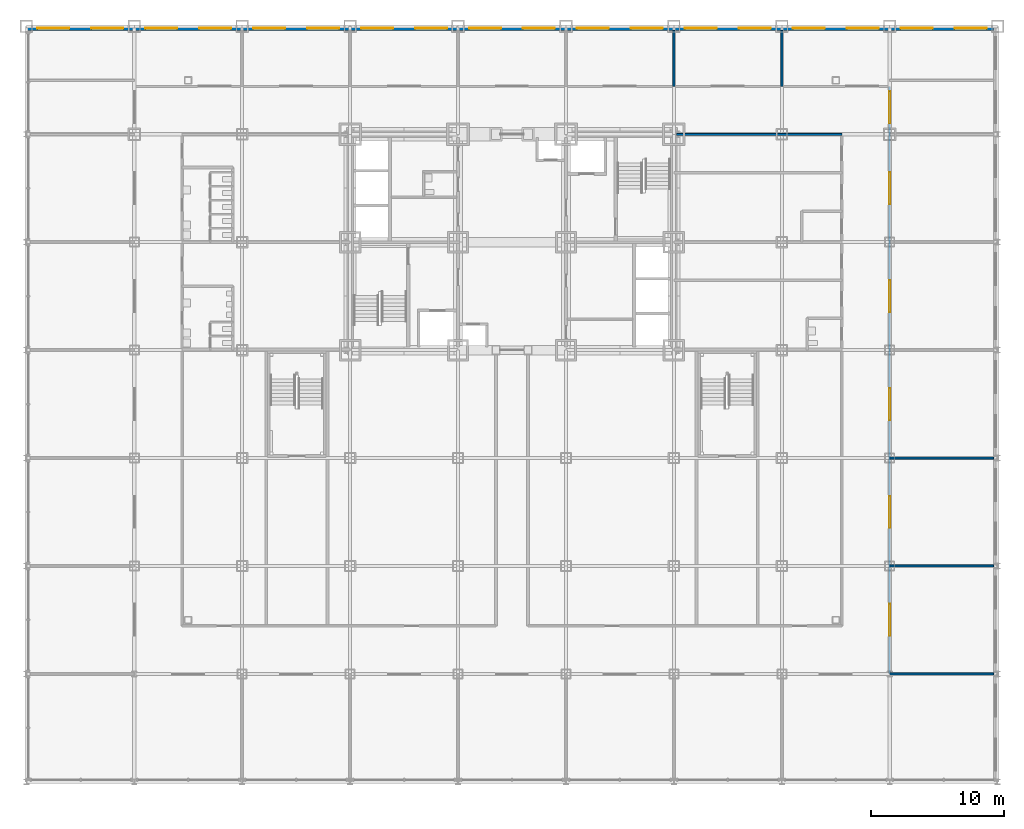
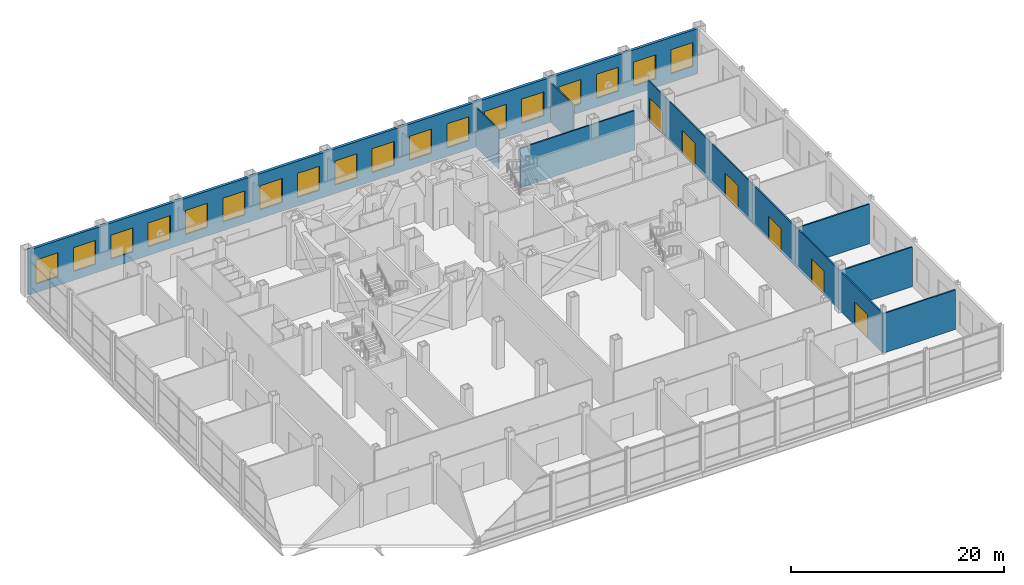
# One storey, part 25 of 30: 18 windows, 8 walls, 6 doors, 24 openings.
"""IFC4 building model written with IfcOpenShell, lengths in metres."""

from ifc_helpers import new_model, si_unit, direction, frame, frame_2d, origin, place, context, subcontext, project, spatial, rectangle, extrude, material, layer, layer_set, type_object, element, fill, save


model = new_model("IFC4")

# Units and contexts
model_context = context("Model", 3, precision=1e-05, world=origin(), true_north=direction((0.0, 1.0)))
body_context = subcontext(model_context, "Body", "Model", "MODEL_VIEW")
ifc_project = project(units=[si_unit("LENGTHUNIT", "METRE"), si_unit("AREAUNIT", "SQUARE_METRE"), si_unit("VOLUMEUNIT", "CUBIC_METRE"), si_unit("PLANEANGLEUNIT", "RADIAN"), si_unit("MASSUNIT", "GRAM", prefix="KILO")], contexts=[model_context])

# Site, building, storey
site_placement = place(None, origin())
site = spatial("IfcSite", under=ifc_project, at=site_placement, CompositionType="ELEMENT")
building_placement = place(site_placement, origin())
building = spatial("IfcBuilding", under=site, at=building_placement, Name="Kopane Lantern Tower", CompositionType="ELEMENT")
storey_placement = place(building_placement, frame((0.0, 0.0, 6.0)))
storey = spatial("IfcBuildingStorey", under=building, at=storey_placement, Name="L01", CompositionType="ELEMENT", Elevation=6.0)

# Wall, openings, doors
ifc_material_1 = material(Name="Gypsum board on steel studs", Category="steel")
ifc_layer_1 = layer(ifc_material_1, 0.14990234375)
ifc_layer_set_1 = layer_set([ifc_layer_1], Name="CORRIDOR WALL 150 EI 60")
wall_type_1 = type_object("IfcWallType", Name="CORRIDOR WALL 150 EI 60", PredefinedType="PARTITIONING", material=ifc_layer_set_1)
wall_1_placement = place(storey_placement, frame((56.699951171875, 0.0, 0.0), z_axis=(0.0, 0.0, 1.0), x_axis=(0.0, 1.0, 0.0)))
wall_1 = element("IfcWall", 1, at=wall_1_placement, inside=storey, type_object=wall_type_1, Name="Corridor Wall 150 Ei 60 L01", PredefinedType="PARTITIONING", context=body_context, shape_type="SweptSolid", body=[
    extrude(rectangle(XDim=44.10009765625, YDim=0.14990234375, at=frame_2d((22.050048828125, 0.0))), origin(), (0.0, 0.0, 1.0), 4.537841796875),
])
opening_1_placement = place(wall_1_placement, frame((2.85009765625, 0.0, 0.0)))
opening_1 = element("IfcOpeningElement", 2, at=opening_1_placement, cuts=wall_1, Name="Opening L01-031", PredefinedType="OPENING", context=body_context, shape_type="SweptSolid", body=[
    extrude(rectangle(XDim=2.39990234375, YDim=2.699951171875, at=frame_2d((1.199951171875, 1.35009765625))), frame((0.0, 0.0849609375, 0.0), z_axis=(0.0, -1.0, 0.0), x_axis=(1.0, 0.0, 0.0)), (0.0, 0.0, 1.0), 0.169921875),
])
opening_2_placement = place(wall_1_placement, frame((10.949951171875, 0.0, 0.0)))
opening_2 = element("IfcOpeningElement", 3, at=opening_2_placement, cuts=wall_1, Name="Opening L01-032", PredefinedType="OPENING", context=body_context, shape_type="SweptSolid", body=[
    extrude(rectangle(XDim=2.39990234375, YDim=2.699951171875, at=frame_2d((1.199951171875, 1.35009765625))), frame((0.0, 0.0849609375, 0.0), z_axis=(0.0, -1.0, 0.0), x_axis=(1.0, 0.0, 0.0)), (0.0, 0.0, 1.0), 0.169921875),
])
opening_3_placement = place(wall_1_placement, frame((19.050048828125, 0.0, 0.0)))
opening_3 = element("IfcOpeningElement", 4, at=opening_3_placement, cuts=wall_1, Name="Opening L01-033", PredefinedType="OPENING", context=body_context, shape_type="SweptSolid", body=[
    extrude(rectangle(XDim=2.39990234375, YDim=2.699951171875, at=frame_2d((1.199951171875, 1.35009765625))), frame((0.0, 0.0849609375, 0.0), z_axis=(0.0, -1.0, 0.0), x_axis=(1.0, 0.0, 0.0)), (0.0, 0.0, 1.0), 0.169921875),
])
opening_4_placement = place(wall_1_placement, frame((27.14990234375, 0.0, 0.0)))
opening_4 = element("IfcOpeningElement", 5, at=opening_4_placement, cuts=wall_1, Name="Opening L01-034", PredefinedType="OPENING", context=body_context, shape_type="SweptSolid", body=[
    extrude(rectangle(XDim=2.39990234375, YDim=2.699951171875, at=frame_2d((1.199951171875, 1.35009765625))), frame((0.0, 0.0849609375, 0.0), z_axis=(0.0, -1.0, 0.0), x_axis=(1.0, 0.0, 0.0)), (0.0, 0.0, 1.0), 0.169921875),
])
opening_5_placement = place(wall_1_placement, frame((35.25, 0.0, 0.0)))
opening_5 = element("IfcOpeningElement", 6, at=opening_5_placement, cuts=wall_1, Name="Opening L01-035", PredefinedType="OPENING", context=body_context, shape_type="SweptSolid", body=[
    extrude(rectangle(XDim=2.39990234375, YDim=2.699951171875, at=frame_2d((1.199951171875, 1.35009765625))), frame((0.0, 0.0849609375, 0.0), z_axis=(0.0, -1.0, 0.0), x_axis=(1.0, 0.0, 0.0)), (0.0, 0.0, 1.0), 0.169921875),
])
opening_6_placement = place(wall_1_placement, frame((41.324951171875, 0.0, 0.0)))
opening_6 = element("IfcOpeningElement", 7, at=opening_6_placement, cuts=wall_1, Name="Opening L01-036", PredefinedType="OPENING", context=body_context, shape_type="SweptSolid", body=[
    extrude(rectangle(XDim=2.39990234375, YDim=2.699951171875, at=frame_2d((1.199951171875, 1.35009765625))), frame((0.0, 0.0849609375, 0.0), z_axis=(0.0, -1.0, 0.0), x_axis=(1.0, 0.0, 0.0)), (0.0, 0.0, 1.0), 0.169921875),
])
ifc_material_2 = material(Name="Timber door set", Category="wood")
door_type = type_object("IfcDoorType", Name="DOOR D7 2400x2700 SHOPFRONT", OperationType="SINGLE_SWING_LEFT", PredefinedType="DOOR", material=ifc_material_2)
door_1_placement = place(opening_1_placement, origin())
door_1 = element("IfcDoor", 8, at=door_1_placement, inside=storey, type_object=door_type, Name="Door L01-031", OperationType="DOUBLE_DOOR_SINGLE_SWING", OverallHeight=2.699951171875, OverallWidth=2.39990234375, PredefinedType="DOOR", context=body_context, shape_type="SweptSolid", body=[
    extrude(rectangle(XDim=2.39990234375, YDim=2.699951171875, at=frame_2d((1.199951171875, 1.35009765625))), frame((0.0, 0.02490234375, 0.0), z_axis=(0.0, -1.0, 0.0), x_axis=(1.0, 0.0, 0.0)), (0.0, 0.0, 1.0), 0.050048828125),
])
fill(opening_1, door_1)
door_2_placement = place(opening_2_placement, origin())
door_2 = element("IfcDoor", 9, at=door_2_placement, inside=storey, type_object=door_type, Name="Door L01-032", OperationType="DOUBLE_DOOR_SINGLE_SWING", OverallHeight=2.699951171875, OverallWidth=2.39990234375, PredefinedType="DOOR", context=body_context, shape_type="SweptSolid", body=[
    extrude(rectangle(XDim=2.39990234375, YDim=2.699951171875, at=frame_2d((1.199951171875, 1.35009765625))), frame((0.0, 0.02490234375, 0.0), z_axis=(0.0, -1.0, 0.0), x_axis=(1.0, 0.0, 0.0)), (0.0, 0.0, 1.0), 0.050048828125),
])
fill(opening_2, door_2)
door_3_placement = place(opening_3_placement, origin())
door_3 = element("IfcDoor", 10, at=door_3_placement, inside=storey, type_object=door_type, Name="Door L01-033", OperationType="DOUBLE_DOOR_SINGLE_SWING", OverallHeight=2.699951171875, OverallWidth=2.39990234375, PredefinedType="DOOR", context=body_context, shape_type="SweptSolid", body=[
    extrude(rectangle(XDim=2.39990234375, YDim=2.699951171875, at=frame_2d((1.199951171875, 1.35009765625))), frame((0.0, 0.02490234375, 0.0), z_axis=(0.0, -1.0, 0.0), x_axis=(1.0, 0.0, 0.0)), (0.0, 0.0, 1.0), 0.050048828125),
])
fill(opening_3, door_3)
door_4_placement = place(opening_4_placement, origin())
door_4 = element("IfcDoor", 11, at=door_4_placement, inside=storey, type_object=door_type, Name="Door L01-034", OperationType="DOUBLE_DOOR_SINGLE_SWING", OverallHeight=2.699951171875, OverallWidth=2.39990234375, PredefinedType="DOOR", context=body_context, shape_type="SweptSolid", body=[
    extrude(rectangle(XDim=2.39990234375, YDim=2.699951171875, at=frame_2d((1.199951171875, 1.35009765625))), frame((0.0, 0.02490234375, 0.0), z_axis=(0.0, -1.0, 0.0), x_axis=(1.0, 0.0, 0.0)), (0.0, 0.0, 1.0), 0.050048828125),
])
fill(opening_4, door_4)
door_5_placement = place(opening_5_placement, origin())
door_5 = element("IfcDoor", 12, at=door_5_placement, inside=storey, type_object=door_type, Name="Door L01-035", OperationType="DOUBLE_DOOR_SINGLE_SWING", OverallHeight=2.699951171875, OverallWidth=2.39990234375, PredefinedType="DOOR", context=body_context, shape_type="SweptSolid", body=[
    extrude(rectangle(XDim=2.39990234375, YDim=2.699951171875, at=frame_2d((1.199951171875, 1.35009765625))), frame((0.0, 0.02490234375, 0.0), z_axis=(0.0, -1.0, 0.0), x_axis=(1.0, 0.0, 0.0)), (0.0, 0.0, 1.0), 0.050048828125),
])
fill(opening_5, door_5)
door_6_placement = place(opening_6_placement, origin())
door_6 = element("IfcDoor", 13, at=door_6_placement, inside=storey, type_object=door_type, Name="Door L01-036", OperationType="DOUBLE_DOOR_SINGLE_SWING", OverallHeight=2.699951171875, OverallWidth=2.39990234375, PredefinedType="DOOR", context=body_context, shape_type="SweptSolid", body=[
    extrude(rectangle(XDim=2.39990234375, YDim=2.699951171875, at=frame_2d((1.199951171875, 1.35009765625))), frame((0.0, 0.02490234375, 0.0), z_axis=(0.0, -1.0, 0.0), x_axis=(1.0, 0.0, 0.0)), (0.0, 0.0, 1.0), 0.050048828125),
])
fill(opening_6, door_6)

# Walls
wall_2_placement = place(storey_placement, frame((53.10009765625, 40.5, 0.0), z_axis=(0.0, 0.0, 1.0), x_axis=(-1.0, 0.0, 0.0)))
element("IfcWall", 14, at=wall_2_placement, inside=storey, type_object=wall_type_1, Name="Corridor Wall 150 Ei 60 L01", PredefinedType="PARTITIONING", context=body_context, shape_type="SweptSolid", body=[
    extrude(rectangle(XDim=12.400146484375, YDim=0.14990234375, at=frame_2d((6.2001953125, 0.0))), origin(), (0.0, 0.0, 1.0), 4.537841796875),
])
ifc_material_3 = material(Name="Gypsum board on steel studs", Category="steel")
ifc_layer_2 = layer(ifc_material_3, 0.14990234375)
ifc_layer_set_2 = layer_set([ifc_layer_2], Name="DEMISING WALL 150 EI 60")
wall_type_2 = type_object("IfcWallType", Name="DEMISING WALL 150 EI 60", PredefinedType="PARTITIONING", material=ifc_layer_set_2)
wall_3_placement = place(storey_placement, frame((40.5, 44.10009765625, 0.0), z_axis=(0.0, 0.0, 1.0), x_axis=(0.0, 1.0, 0.0)))
element("IfcWall", 15, at=wall_3_placement, inside=storey, type_object=wall_type_2, Name="Demising Wall 150 Ei 60 L01", PredefinedType="PARTITIONING", context=body_context, shape_type="SweptSolid", body=[
    extrude(rectangle(XDim=4.199951171875, YDim=0.14990234375, at=frame_2d((2.10009765625, 0.0))), origin(), (0.0, 0.0, 1.0), 4.537841796875),
])
for number, where, z_axis, x_axis, name in (
    (16, (56.699951171875, 8.10009765625, 0.0), (0.0, 0.0, 1.0), (1.0, 0.0, 0.0), "Demising Wall 150 Ei 60 L01"),
    (17, (56.699951171875, 16.199951171875, 0.0), (0.0, 0.0, 1.0), (1.0, 0.0, 0.0), "Demising Wall 150 Ei 60 L01"),
    (18, (56.699951171875, 0.0, 0.0), (0.0, 0.0, 1.0), (1.0, 0.0, 0.0), "Demising Wall 150 Ei 60 L01"),
):
    element("IfcWall", number, at=place(storey_placement, frame(where, z_axis=z_axis, x_axis=x_axis)), inside=storey, type_object=wall_type_2, Name=name, PredefinedType="PARTITIONING", context=body_context, shape_type="SweptSolid", body=[
        extrude(rectangle(XDim=7.800048828125, YDim=0.14990234375, at=frame_2d((3.89990234375, 0.0))), origin(), (0.0, 0.0, 1.0), 4.537841796875),
    ])
wall_4_placement = place(storey_placement, frame((48.60009765625, 44.10009765625, 0.0), z_axis=(0.0, 0.0, 1.0), x_axis=(0.0, 1.0, 0.0)))
element("IfcWall", 19, at=wall_4_placement, inside=storey, type_object=wall_type_2, Name="Demising Wall 150 Ei 60 L01", PredefinedType="PARTITIONING", context=body_context, shape_type="SweptSolid", body=[
    extrude(rectangle(XDim=4.199951171875, YDim=0.14990234375, at=frame_2d((2.10009765625, 0.0))), origin(), (0.0, 0.0, 1.0), 4.537841796875),
])

# Wall, openings, windows
ifc_material_4 = material(Name="Terracotta rainscreen on light steel framing", Category="masonry")
ifc_layer_3 = layer(ifc_material_4, 0.300048828125)
ifc_layer_set_3 = layer_set([ifc_layer_3], Name="EXTERNAL WALL EW1 300 TERRACOTTA")
wall_type_3 = type_object("IfcWallType", Name="EXTERNAL WALL EW1 300 TERRACOTTA", PredefinedType="SOLIDWALL", material=ifc_layer_set_3)
wall_5_placement = place(storey_placement, frame((64.5, 48.449951171875, 0.0), z_axis=(0.0, 0.0, 1.0), x_axis=(-1.0, 0.0, 0.0)))
wall_5 = element("IfcWall", 20, at=wall_5_placement, inside=storey, type_object=wall_type_3, Name="External wall N L01", PredefinedType="SOLIDWALL", context=body_context, shape_type="SweptSolid", body=[
    extrude(rectangle(XDim=72.60009765625, YDim=0.300048828125, at=frame_2d((36.300048828125, 0.0))), origin(), (0.0, 0.0, 1.0), 5.14990234375),
])
opening_7_placement = place(wall_5_placement, frame((0.52490234375, 0.0, 1.0)))
opening_7 = element("IfcOpeningElement", 21, at=opening_7_placement, cuts=wall_5, Name="Opening WP240275", PredefinedType="OPENING", context=body_context, shape_type="SweptSolid", body=[
    extrude(rectangle(XDim=2.39990234375, YDim=2.75, at=frame_2d((1.199951171875, 1.375))), frame((0.0, 0.159912109375, 0.0), z_axis=(0.0, -1.0, 0.0), x_axis=(1.0, 0.0, 0.0)), (0.0, 0.0, 1.0), 0.320068359375),
])
opening_8_placement = place(wall_5_placement, frame((4.574951171875, 0.0, 1.0)))
opening_8 = element("IfcOpeningElement", 22, at=opening_8_placement, cuts=wall_5, Name="Opening WP240275", PredefinedType="OPENING", context=body_context, shape_type="SweptSolid", body=[
    extrude(rectangle(XDim=2.39990234375, YDim=2.75, at=frame_2d((1.199951171875, 1.375))), frame((0.0, 0.159912109375, 0.0), z_axis=(0.0, -1.0, 0.0), x_axis=(1.0, 0.0, 0.0)), (0.0, 0.0, 1.0), 0.320068359375),
])
opening_9_placement = place(wall_5_placement, frame((8.625, 0.0, 1.0)))
opening_9 = element("IfcOpeningElement", 23, at=opening_9_placement, cuts=wall_5, Name="Opening WP240275", PredefinedType="OPENING", context=body_context, shape_type="SweptSolid", body=[
    extrude(rectangle(XDim=2.39990234375, YDim=2.75, at=frame_2d((1.199951171875, 1.375))), frame((0.0, 0.159912109375, 0.0), z_axis=(0.0, -1.0, 0.0), x_axis=(1.0, 0.0, 0.0)), (0.0, 0.0, 1.0), 0.320068359375),
])
opening_10_placement = place(wall_5_placement, frame((12.675048828125, 0.0, 1.0)))
opening_10 = element("IfcOpeningElement", 24, at=opening_10_placement, cuts=wall_5, Name="Opening WP240275", PredefinedType="OPENING", context=body_context, shape_type="SweptSolid", body=[
    extrude(rectangle(XDim=2.39990234375, YDim=2.75, at=frame_2d((1.199951171875, 1.375))), frame((0.0, 0.159912109375, 0.0), z_axis=(0.0, -1.0, 0.0), x_axis=(1.0, 0.0, 0.0)), (0.0, 0.0, 1.0), 0.320068359375),
])
opening_11_placement = place(wall_5_placement, frame((16.72509765625, 0.0, 1.0)))
opening_11 = element("IfcOpeningElement", 25, at=opening_11_placement, cuts=wall_5, Name="Opening WP240275", PredefinedType="OPENING", context=body_context, shape_type="SweptSolid", body=[
    extrude(rectangle(XDim=2.39990234375, YDim=2.75, at=frame_2d((1.199951171875, 1.375))), frame((0.0, 0.159912109375, 0.0), z_axis=(0.0, -1.0, 0.0), x_axis=(1.0, 0.0, 0.0)), (0.0, 0.0, 1.0), 0.320068359375),
])
opening_12_placement = place(wall_5_placement, frame((20.77490234375, 0.0, 1.0)))
opening_12 = element("IfcOpeningElement", 26, at=opening_12_placement, cuts=wall_5, Name="Opening WP240275", PredefinedType="OPENING", context=body_context, shape_type="SweptSolid", body=[
    extrude(rectangle(XDim=2.39990234375, YDim=2.75, at=frame_2d((1.199951171875, 1.375))), frame((0.0, 0.159912109375, 0.0), z_axis=(0.0, -1.0, 0.0), x_axis=(1.0, 0.0, 0.0)), (0.0, 0.0, 1.0), 0.320068359375),
])
opening_13_placement = place(wall_5_placement, frame((24.824951171875, 0.0, 1.0)))
opening_13 = element("IfcOpeningElement", 27, at=opening_13_placement, cuts=wall_5, Name="Opening WP240275", PredefinedType="OPENING", context=body_context, shape_type="SweptSolid", body=[
    extrude(rectangle(XDim=2.39990234375, YDim=2.75, at=frame_2d((1.199951171875, 1.375))), frame((0.0, 0.159912109375, 0.0), z_axis=(0.0, -1.0, 0.0), x_axis=(1.0, 0.0, 0.0)), (0.0, 0.0, 1.0), 0.320068359375),
])
opening_14_placement = place(wall_5_placement, frame((28.875, 0.0, 1.0)))
opening_14 = element("IfcOpeningElement", 28, at=opening_14_placement, cuts=wall_5, Name="Opening WP240275", PredefinedType="OPENING", context=body_context, shape_type="SweptSolid", body=[
    extrude(rectangle(XDim=2.39990234375, YDim=2.75, at=frame_2d((1.199951171875, 1.375))), frame((0.0, 0.159912109375, 0.0), z_axis=(0.0, -1.0, 0.0), x_axis=(1.0, 0.0, 0.0)), (0.0, 0.0, 1.0), 0.320068359375),
])
opening_15_placement = place(wall_5_placement, frame((32.925048828125, 0.0, 1.0)))
opening_15 = element("IfcOpeningElement", 29, at=opening_15_placement, cuts=wall_5, Name="Opening WP240275", PredefinedType="OPENING", context=body_context, shape_type="SweptSolid", body=[
    extrude(rectangle(XDim=2.39990234375, YDim=2.75, at=frame_2d((1.199951171875, 1.375))), frame((0.0, 0.159912109375, 0.0), z_axis=(0.0, -1.0, 0.0), x_axis=(1.0, 0.0, 0.0)), (0.0, 0.0, 1.0), 0.320068359375),
])
opening_16_placement = place(wall_5_placement, frame((36.97509765625, 0.0, 1.0)))
opening_16 = element("IfcOpeningElement", 30, at=opening_16_placement, cuts=wall_5, Name="Opening WP240275", PredefinedType="OPENING", context=body_context, shape_type="SweptSolid", body=[
    extrude(rectangle(XDim=2.39990234375, YDim=2.75, at=frame_2d((1.199951171875, 1.375))), frame((0.0, 0.159912109375, 0.0), z_axis=(0.0, -1.0, 0.0), x_axis=(1.0, 0.0, 0.0)), (0.0, 0.0, 1.0), 0.320068359375),
])
opening_17_placement = place(wall_5_placement, frame((41.02490234375, 0.0, 1.0)))
opening_17 = element("IfcOpeningElement", 31, at=opening_17_placement, cuts=wall_5, Name="Opening WP240275", PredefinedType="OPENING", context=body_context, shape_type="SweptSolid", body=[
    extrude(rectangle(XDim=2.39990234375, YDim=2.75, at=frame_2d((1.199951171875, 1.375))), frame((0.0, 0.159912109375, 0.0), z_axis=(0.0, -1.0, 0.0), x_axis=(1.0, 0.0, 0.0)), (0.0, 0.0, 1.0), 0.320068359375),
])
opening_18_placement = place(wall_5_placement, frame((45.074951171875, 0.0, 1.0)))
opening_18 = element("IfcOpeningElement", 32, at=opening_18_placement, cuts=wall_5, Name="Opening WP240275", PredefinedType="OPENING", context=body_context, shape_type="SweptSolid", body=[
    extrude(rectangle(XDim=2.39990234375, YDim=2.75, at=frame_2d((1.199951171875, 1.375))), frame((0.0, 0.159912109375, 0.0), z_axis=(0.0, -1.0, 0.0), x_axis=(1.0, 0.0, 0.0)), (0.0, 0.0, 1.0), 0.320068359375),
])
opening_19_placement = place(wall_5_placement, frame((49.125, 0.0, 1.0)))
opening_19 = element("IfcOpeningElement", 33, at=opening_19_placement, cuts=wall_5, Name="Opening WP240275", PredefinedType="OPENING", context=body_context, shape_type="SweptSolid", body=[
    extrude(rectangle(XDim=2.39990234375, YDim=2.75, at=frame_2d((1.199951171875, 1.375))), frame((0.0, 0.159912109375, 0.0), z_axis=(0.0, -1.0, 0.0), x_axis=(1.0, 0.0, 0.0)), (0.0, 0.0, 1.0), 0.320068359375),
])
opening_20_placement = place(wall_5_placement, frame((53.175048828125, 0.0, 1.0)))
opening_20 = element("IfcOpeningElement", 34, at=opening_20_placement, cuts=wall_5, Name="Opening WP240275", PredefinedType="OPENING", context=body_context, shape_type="SweptSolid", body=[
    extrude(rectangle(XDim=2.39990234375, YDim=2.75, at=frame_2d((1.199951171875, 1.375))), frame((0.0, 0.159912109375, 0.0), z_axis=(0.0, -1.0, 0.0), x_axis=(1.0, 0.0, 0.0)), (0.0, 0.0, 1.0), 0.320068359375),
])
opening_21_placement = place(wall_5_placement, frame((57.22509765625, 0.0, 1.0)))
opening_21 = element("IfcOpeningElement", 35, at=opening_21_placement, cuts=wall_5, Name="Opening WP240275", PredefinedType="OPENING", context=body_context, shape_type="SweptSolid", body=[
    extrude(rectangle(XDim=2.39990234375, YDim=2.75, at=frame_2d((1.199951171875, 1.375))), frame((0.0, 0.159912109375, 0.0), z_axis=(0.0, -1.0, 0.0), x_axis=(1.0, 0.0, 0.0)), (0.0, 0.0, 1.0), 0.320068359375),
])
opening_22_placement = place(wall_5_placement, frame((61.27490234375, 0.0, 1.0)))
opening_22 = element("IfcOpeningElement", 36, at=opening_22_placement, cuts=wall_5, Name="Opening WP240275", PredefinedType="OPENING", context=body_context, shape_type="SweptSolid", body=[
    extrude(rectangle(XDim=2.39990234375, YDim=2.75, at=frame_2d((1.199951171875, 1.375))), frame((0.0, 0.159912109375, 0.0), z_axis=(0.0, -1.0, 0.0), x_axis=(1.0, 0.0, 0.0)), (0.0, 0.0, 1.0), 0.320068359375),
])
opening_23_placement = place(wall_5_placement, frame((65.324951171875, 0.0, 1.0)))
opening_23 = element("IfcOpeningElement", 37, at=opening_23_placement, cuts=wall_5, Name="Opening WP240275", PredefinedType="OPENING", context=body_context, shape_type="SweptSolid", body=[
    extrude(rectangle(XDim=2.39990234375, YDim=2.75, at=frame_2d((1.199951171875, 1.375))), frame((0.0, 0.159912109375, 0.0), z_axis=(0.0, -1.0, 0.0), x_axis=(1.0, 0.0, 0.0)), (0.0, 0.0, 1.0), 0.320068359375),
])
opening_24_placement = place(wall_5_placement, frame((69.375, 0.0, 1.0)))
opening_24 = element("IfcOpeningElement", 38, at=opening_24_placement, cuts=wall_5, Name="Opening WP240275", PredefinedType="OPENING", context=body_context, shape_type="SweptSolid", body=[
    extrude(rectangle(XDim=2.39990234375, YDim=2.75, at=frame_2d((1.199951171875, 1.375))), frame((0.0, 0.159912109375, 0.0), z_axis=(0.0, -1.0, 0.0), x_axis=(1.0, 0.0, 0.0)), (0.0, 0.0, 1.0), 0.320068359375),
])
ifc_material_5 = material(Name="Aluminium and clear glass", Category="aluminium")
window_type = type_object("IfcWindowType", Name="WINDOW WP240275 2400x2750", PartitioningType="SINGLE_PANEL", PredefinedType="WINDOW", material=ifc_material_5)
window_1_placement = place(opening_7_placement, origin())
window_1 = element("IfcWindow", 39, at=window_1_placement, inside=storey, type_object=window_type, Name="Window N L01", OverallHeight=2.75, OverallWidth=2.39990234375, PartitioningType="SINGLE_PANEL", PredefinedType="WINDOW", context=body_context, shape_type="SweptSolid", body=[
    extrude(rectangle(XDim=2.39990234375, YDim=2.75, at=frame_2d((1.199951171875, 1.375))), frame((0.0, 0.030029296875, 0.0), z_axis=(0.0, -1.0, 0.0), x_axis=(1.0, 0.0, 0.0)), (0.0, 0.0, 1.0), 0.06005859375),
])
fill(opening_7, window_1)
window_2_placement = place(opening_8_placement, origin())
window_2 = element("IfcWindow", 40, at=window_2_placement, inside=storey, type_object=window_type, Name="Window N L01", OverallHeight=2.75, OverallWidth=2.39990234375, PartitioningType="SINGLE_PANEL", PredefinedType="WINDOW", context=body_context, shape_type="SweptSolid", body=[
    extrude(rectangle(XDim=2.39990234375, YDim=2.75, at=frame_2d((1.199951171875, 1.375))), frame((0.0, 0.030029296875, 0.0), z_axis=(0.0, -1.0, 0.0), x_axis=(1.0, 0.0, 0.0)), (0.0, 0.0, 1.0), 0.06005859375),
])
fill(opening_8, window_2)
window_3_placement = place(opening_9_placement, origin())
window_3 = element("IfcWindow", 41, at=window_3_placement, inside=storey, type_object=window_type, Name="Window N L01", OverallHeight=2.75, OverallWidth=2.39990234375, PartitioningType="SINGLE_PANEL", PredefinedType="WINDOW", context=body_context, shape_type="SweptSolid", body=[
    extrude(rectangle(XDim=2.39990234375, YDim=2.75, at=frame_2d((1.199951171875, 1.375))), frame((0.0, 0.030029296875, 0.0), z_axis=(0.0, -1.0, 0.0), x_axis=(1.0, 0.0, 0.0)), (0.0, 0.0, 1.0), 0.06005859375),
])
fill(opening_9, window_3)
window_4_placement = place(opening_10_placement, origin())
window_4 = element("IfcWindow", 42, at=window_4_placement, inside=storey, type_object=window_type, Name="Window N L01", OverallHeight=2.75, OverallWidth=2.39990234375, PartitioningType="SINGLE_PANEL", PredefinedType="WINDOW", context=body_context, shape_type="SweptSolid", body=[
    extrude(rectangle(XDim=2.39990234375, YDim=2.75, at=frame_2d((1.199951171875, 1.375))), frame((0.0, 0.030029296875, 0.0), z_axis=(0.0, -1.0, 0.0), x_axis=(1.0, 0.0, 0.0)), (0.0, 0.0, 1.0), 0.06005859375),
])
fill(opening_10, window_4)
window_5_placement = place(opening_11_placement, origin())
window_5 = element("IfcWindow", 43, at=window_5_placement, inside=storey, type_object=window_type, Name="Window N L01", OverallHeight=2.75, OverallWidth=2.39990234375, PartitioningType="SINGLE_PANEL", PredefinedType="WINDOW", context=body_context, shape_type="SweptSolid", body=[
    extrude(rectangle(XDim=2.39990234375, YDim=2.75, at=frame_2d((1.199951171875, 1.375))), frame((0.0, 0.030029296875, 0.0), z_axis=(0.0, -1.0, 0.0), x_axis=(1.0, 0.0, 0.0)), (0.0, 0.0, 1.0), 0.06005859375),
])
fill(opening_11, window_5)
window_6_placement = place(opening_12_placement, origin())
window_6 = element("IfcWindow", 44, at=window_6_placement, inside=storey, type_object=window_type, Name="Window N L01", OverallHeight=2.75, OverallWidth=2.39990234375, PartitioningType="SINGLE_PANEL", PredefinedType="WINDOW", context=body_context, shape_type="SweptSolid", body=[
    extrude(rectangle(XDim=2.39990234375, YDim=2.75, at=frame_2d((1.199951171875, 1.375))), frame((0.0, 0.030029296875, 0.0), z_axis=(0.0, -1.0, 0.0), x_axis=(1.0, 0.0, 0.0)), (0.0, 0.0, 1.0), 0.06005859375),
])
fill(opening_12, window_6)
window_7_placement = place(opening_13_placement, origin())
window_7 = element("IfcWindow", 45, at=window_7_placement, inside=storey, type_object=window_type, Name="Window N L01", OverallHeight=2.75, OverallWidth=2.39990234375, PartitioningType="SINGLE_PANEL", PredefinedType="WINDOW", context=body_context, shape_type="SweptSolid", body=[
    extrude(rectangle(XDim=2.39990234375, YDim=2.75, at=frame_2d((1.199951171875, 1.375))), frame((0.0, 0.030029296875, 0.0), z_axis=(0.0, -1.0, 0.0), x_axis=(1.0, 0.0, 0.0)), (0.0, 0.0, 1.0), 0.06005859375),
])
fill(opening_13, window_7)
window_8_placement = place(opening_14_placement, origin())
window_8 = element("IfcWindow", 46, at=window_8_placement, inside=storey, type_object=window_type, Name="Window N L01", OverallHeight=2.75, OverallWidth=2.39990234375, PartitioningType="SINGLE_PANEL", PredefinedType="WINDOW", context=body_context, shape_type="SweptSolid", body=[
    extrude(rectangle(XDim=2.39990234375, YDim=2.75, at=frame_2d((1.199951171875, 1.375))), frame((0.0, 0.030029296875, 0.0), z_axis=(0.0, -1.0, 0.0), x_axis=(1.0, 0.0, 0.0)), (0.0, 0.0, 1.0), 0.06005859375),
])
fill(opening_14, window_8)
window_9_placement = place(opening_15_placement, origin())
window_9 = element("IfcWindow", 47, at=window_9_placement, inside=storey, type_object=window_type, Name="Window N L01", OverallHeight=2.75, OverallWidth=2.39990234375, PartitioningType="SINGLE_PANEL", PredefinedType="WINDOW", context=body_context, shape_type="SweptSolid", body=[
    extrude(rectangle(XDim=2.39990234375, YDim=2.75, at=frame_2d((1.199951171875, 1.375))), frame((0.0, 0.030029296875, 0.0), z_axis=(0.0, -1.0, 0.0), x_axis=(1.0, 0.0, 0.0)), (0.0, 0.0, 1.0), 0.06005859375),
])
fill(opening_15, window_9)
window_10_placement = place(opening_16_placement, origin())
window_10 = element("IfcWindow", 48, at=window_10_placement, inside=storey, type_object=window_type, Name="Window N L01", OverallHeight=2.75, OverallWidth=2.39990234375, PartitioningType="SINGLE_PANEL", PredefinedType="WINDOW", context=body_context, shape_type="SweptSolid", body=[
    extrude(rectangle(XDim=2.39990234375, YDim=2.75, at=frame_2d((1.199951171875, 1.375))), frame((0.0, 0.030029296875, 0.0), z_axis=(0.0, -1.0, 0.0), x_axis=(1.0, 0.0, 0.0)), (0.0, 0.0, 1.0), 0.06005859375),
])
fill(opening_16, window_10)
window_11_placement = place(opening_17_placement, origin())
window_11 = element("IfcWindow", 49, at=window_11_placement, inside=storey, type_object=window_type, Name="Window N L01", OverallHeight=2.75, OverallWidth=2.39990234375, PartitioningType="SINGLE_PANEL", PredefinedType="WINDOW", context=body_context, shape_type="SweptSolid", body=[
    extrude(rectangle(XDim=2.39990234375, YDim=2.75, at=frame_2d((1.199951171875, 1.375))), frame((0.0, 0.030029296875, 0.0), z_axis=(0.0, -1.0, 0.0), x_axis=(1.0, 0.0, 0.0)), (0.0, 0.0, 1.0), 0.06005859375),
])
fill(opening_17, window_11)
window_12_placement = place(opening_18_placement, origin())
window_12 = element("IfcWindow", 50, at=window_12_placement, inside=storey, type_object=window_type, Name="Window N L01", OverallHeight=2.75, OverallWidth=2.39990234375, PartitioningType="SINGLE_PANEL", PredefinedType="WINDOW", context=body_context, shape_type="SweptSolid", body=[
    extrude(rectangle(XDim=2.39990234375, YDim=2.75, at=frame_2d((1.199951171875, 1.375))), frame((0.0, 0.030029296875, 0.0), z_axis=(0.0, -1.0, 0.0), x_axis=(1.0, 0.0, 0.0)), (0.0, 0.0, 1.0), 0.06005859375),
])
fill(opening_18, window_12)
window_13_placement = place(opening_19_placement, origin())
window_13 = element("IfcWindow", 51, at=window_13_placement, inside=storey, type_object=window_type, Name="Window N L01", OverallHeight=2.75, OverallWidth=2.39990234375, PartitioningType="SINGLE_PANEL", PredefinedType="WINDOW", context=body_context, shape_type="SweptSolid", body=[
    extrude(rectangle(XDim=2.39990234375, YDim=2.75, at=frame_2d((1.199951171875, 1.375))), frame((0.0, 0.030029296875, 0.0), z_axis=(0.0, -1.0, 0.0), x_axis=(1.0, 0.0, 0.0)), (0.0, 0.0, 1.0), 0.06005859375),
])
fill(opening_19, window_13)
window_14_placement = place(opening_20_placement, origin())
window_14 = element("IfcWindow", 52, at=window_14_placement, inside=storey, type_object=window_type, Name="Window N L01", OverallHeight=2.75, OverallWidth=2.39990234375, PartitioningType="SINGLE_PANEL", PredefinedType="WINDOW", context=body_context, shape_type="SweptSolid", body=[
    extrude(rectangle(XDim=2.39990234375, YDim=2.75, at=frame_2d((1.199951171875, 1.375))), frame((0.0, 0.030029296875, 0.0), z_axis=(0.0, -1.0, 0.0), x_axis=(1.0, 0.0, 0.0)), (0.0, 0.0, 1.0), 0.06005859375),
])
fill(opening_20, window_14)
window_15_placement = place(opening_21_placement, origin())
window_15 = element("IfcWindow", 53, at=window_15_placement, inside=storey, type_object=window_type, Name="Window N L01", OverallHeight=2.75, OverallWidth=2.39990234375, PartitioningType="SINGLE_PANEL", PredefinedType="WINDOW", context=body_context, shape_type="SweptSolid", body=[
    extrude(rectangle(XDim=2.39990234375, YDim=2.75, at=frame_2d((1.199951171875, 1.375))), frame((0.0, 0.030029296875, 0.0), z_axis=(0.0, -1.0, 0.0), x_axis=(1.0, 0.0, 0.0)), (0.0, 0.0, 1.0), 0.06005859375),
])
fill(opening_21, window_15)
window_16_placement = place(opening_22_placement, origin())
window_16 = element("IfcWindow", 54, at=window_16_placement, inside=storey, type_object=window_type, Name="Window N L01", OverallHeight=2.75, OverallWidth=2.39990234375, PartitioningType="SINGLE_PANEL", PredefinedType="WINDOW", context=body_context, shape_type="SweptSolid", body=[
    extrude(rectangle(XDim=2.39990234375, YDim=2.75, at=frame_2d((1.199951171875, 1.375))), frame((0.0, 0.030029296875, 0.0), z_axis=(0.0, -1.0, 0.0), x_axis=(1.0, 0.0, 0.0)), (0.0, 0.0, 1.0), 0.06005859375),
])
fill(opening_22, window_16)
window_17_placement = place(opening_23_placement, origin())
window_17 = element("IfcWindow", 55, at=window_17_placement, inside=storey, type_object=window_type, Name="Window N L01", OverallHeight=2.75, OverallWidth=2.39990234375, PartitioningType="SINGLE_PANEL", PredefinedType="WINDOW", context=body_context, shape_type="SweptSolid", body=[
    extrude(rectangle(XDim=2.39990234375, YDim=2.75, at=frame_2d((1.199951171875, 1.375))), frame((0.0, 0.030029296875, 0.0), z_axis=(0.0, -1.0, 0.0), x_axis=(1.0, 0.0, 0.0)), (0.0, 0.0, 1.0), 0.06005859375),
])
fill(opening_23, window_17)
window_18_placement = place(opening_24_placement, origin())
window_18 = element("IfcWindow", 56, at=window_18_placement, inside=storey, type_object=window_type, Name="Window N L01", OverallHeight=2.75, OverallWidth=2.39990234375, PartitioningType="SINGLE_PANEL", PredefinedType="WINDOW", context=body_context, shape_type="SweptSolid", body=[
    extrude(rectangle(XDim=2.39990234375, YDim=2.75, at=frame_2d((1.199951171875, 1.375))), frame((0.0, 0.030029296875, 0.0), z_axis=(0.0, -1.0, 0.0), x_axis=(1.0, 0.0, 0.0)), (0.0, 0.0, 1.0), 0.06005859375),
])
fill(opening_24, window_18)

save(model, "model.ifc")
